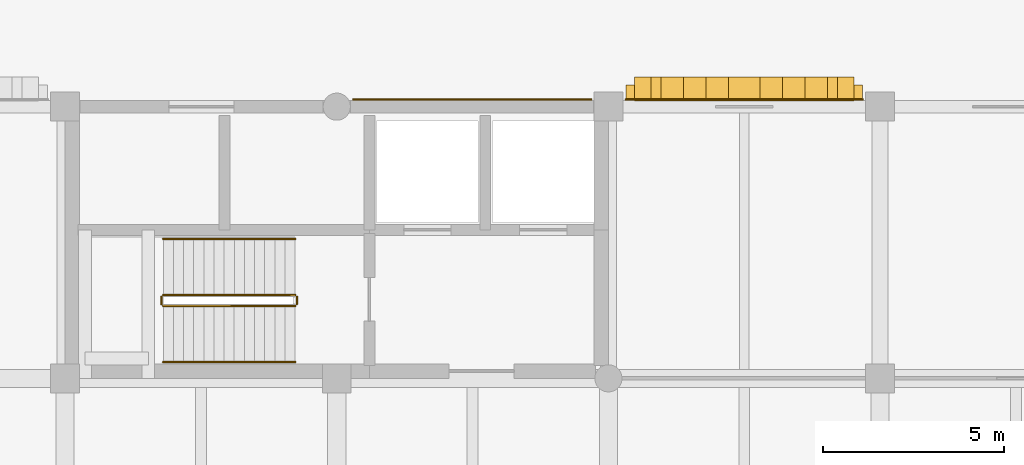
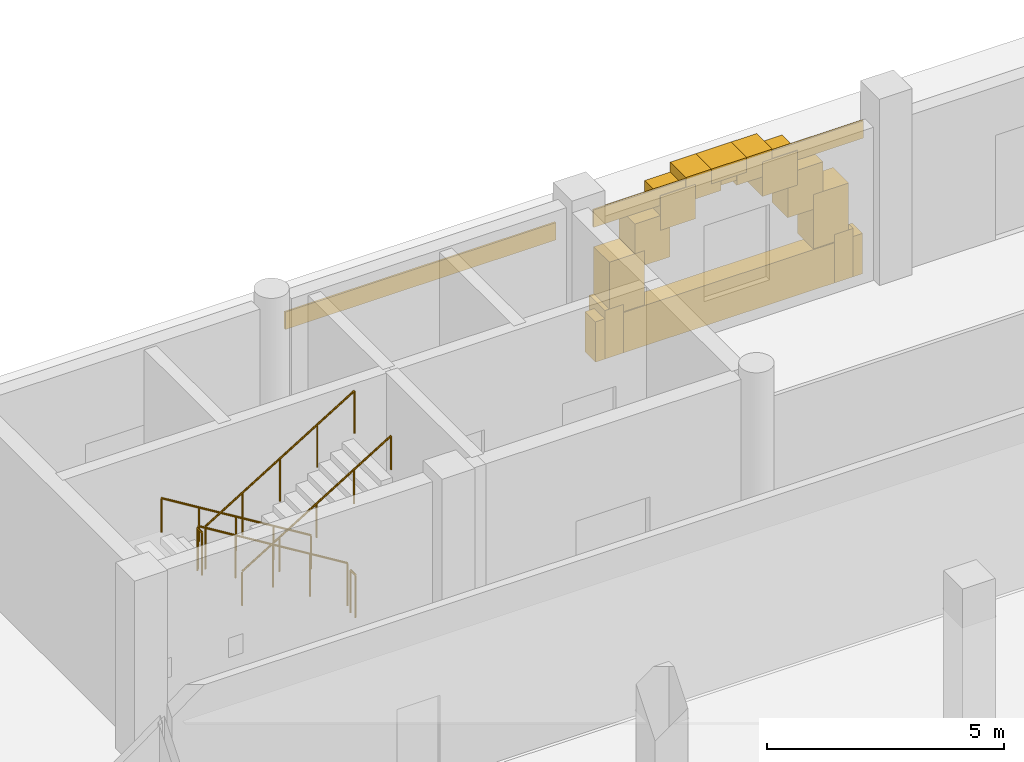
# One storey, part 115 of 125: 14 coverings, 6 railings.
"""IFC4 building model written with IfcOpenShell, lengths in metres."""

from ifc_helpers import new_model, si_unit, direction, frame, origin, origin_2d, place, context, subcontext, project, spatial, rectangle, circle, extrude, material, layer, layer_set, type_object, element, save


model = new_model("IFC4")

# Units and contexts
model_context = context("Model", 3, precision=1e-05, world=origin(), true_north=direction((0.0, 1.0)))
body_context = subcontext(model_context, "Body", "Model", "MODEL_VIEW")
ifc_project = project(units=[si_unit("LENGTHUNIT", "METRE"), si_unit("AREAUNIT", "SQUARE_METRE"), si_unit("VOLUMEUNIT", "CUBIC_METRE"), si_unit("PLANEANGLEUNIT", "RADIAN"), si_unit("MASSUNIT", "GRAM", prefix="KILO")], contexts=[model_context])

# Site, building, storey
site_placement = place(None, origin())
site = spatial("IfcSite", under=ifc_project, at=site_placement, CompositionType="ELEMENT")
building_placement = place(site_placement, origin())
building = spatial("IfcBuilding", under=site, at=building_placement, Name="Dalvernix Boulevard General Hospital", CompositionType="ELEMENT")
storey_placement = place(building_placement, origin())
storey = spatial("IfcBuildingStorey", under=building, at=storey_placement, Name="L00", CompositionType="ELEMENT", Elevation=0.0)

# Coverings
ifc_material_1 = material(Name="Pressed Catalan clay brick and dressed limestone parabolic archivolt", Category="masonry")
ifc_layer_1 = layer(ifc_material_1, 0.419921875)
ifc_layer_set_1 = layer_set([ifc_layer_1], Name="Pressed Catalan clay brick and dressed limestone parabolic archivolt (COV-ARC-01)")
covering_type_1 = type_object("IfcCoveringType", Name="COV-ARC-01", PredefinedType="CLADDING", material=ifc_layer_set_1)
for number, where, z_axis, x_axis, name in (
    (1, (75.949951171875, 117.485107421875, 0.0), (0.0, 0.0, 1.0), (1.0, 0.0, 0.0), "L00 Catalan parabolic arch impost pier N 10-15-L"),
    (2, (81.550048828125, 117.485107421875, 0.0), (0.0, 0.0, 1.0), (1.0, 0.0, 0.0), "L00 Catalan parabolic arch impost pier N 10-15-R"),
):
    element("IfcCovering", number, at=place(storey_placement, frame(where, z_axis=z_axis, x_axis=x_axis)), inside=storey, type_object=covering_type_1, Name=name, PredefinedType="CLADDING", context=body_context, shape_type="SweptSolid", body=[
        extrude(rectangle(XDim=0.4599609375, YDim=0.659912109375, at=origin_2d()), origin(), (0.0, 0.0, 1.0), 1.25),
    ])
covering_1_placement = place(storey_placement, frame((76.260986328125, 117.485107421875, 1.059814453125), z_axis=(0.0, 0.0, 1.0), x_axis=(1.0, 0.0, 0.0)))
element("IfcCovering", 3, at=covering_1_placement, inside=storey, type_object=covering_type_1, Name="L00 Catalan parabolic archivolt voussoir N 10-15-1", PredefinedType="CLADDING", context=body_context, shape_type="SweptSolid", body=[
    extrude(rectangle(XDim=0.8623046875, YDim=0.659912109375, at=origin_2d()), origin(), (0.0, 0.0, 1.0), 1.3994140625),
])
covering_2_placement = place(storey_placement, frame((76.88330078125, 117.485107421875, 2.07958984375), z_axis=(0.0, 0.0, 1.0), x_axis=(1.0, 0.0, 0.0)))
element("IfcCovering", 4, at=covering_2_placement, inside=storey, type_object=covering_type_1, Name="L00 Catalan parabolic archivolt voussoir N 10-15-2", PredefinedType="CLADDING", context=body_context, shape_type="SweptSolid", body=[
    extrude(rectangle(XDim=0.8623046875, YDim=0.659912109375, at=origin_2d()), origin(), (0.0, 0.0, 1.0), 1.144287109375),
])
covering_3_placement = place(storey_placement, frame((77.505615234375, 117.485107421875, 2.84375), z_axis=(0.0, 0.0, 1.0), x_axis=(1.0, 0.0, 0.0)))
element("IfcCovering", 5, at=covering_3_placement, inside=storey, type_object=covering_type_1, Name="L00 Catalan parabolic archivolt voussoir N 10-15-3", PredefinedType="CLADDING", context=body_context, shape_type="SweptSolid", body=[
    extrude(rectangle(XDim=0.8623046875, YDim=0.659912109375, at=origin_2d()), origin(), (0.0, 0.0, 1.0), 0.8896484375),
])
covering_4_placement = place(storey_placement, frame((78.127685546875, 117.485107421875, 3.353271484375), z_axis=(0.0, 0.0, 1.0), x_axis=(1.0, 0.0, 0.0)))
element("IfcCovering", 6, at=covering_4_placement, inside=storey, type_object=covering_type_1, Name="L00 Catalan parabolic archivolt voussoir N 10-15-4", PredefinedType="CLADDING", context=body_context, shape_type="SweptSolid", body=[
    extrude(rectangle(XDim=0.8623046875, YDim=0.659912109375, at=origin_2d()), origin(), (0.0, 0.0, 1.0), 0.634765625),
])
covering_5_placement = place(storey_placement, frame((78.75, 117.485107421875, 3.608154296875), z_axis=(0.0, 0.0, 1.0), x_axis=(1.0, 0.0, 0.0)))
element("IfcCovering", 7, at=covering_5_placement, inside=storey, type_object=covering_type_1, Name="L00 Catalan parabolic archivolt voussoir N 10-15-5", PredefinedType="CLADDING", context=body_context, shape_type="SweptSolid", body=[
    extrude(rectangle(XDim=0.8623046875, YDim=0.659912109375, at=origin_2d()), origin(), (0.0, 0.0, 1.0), 0.3798828125),
])
covering_6_placement = place(storey_placement, frame((79.372314453125, 117.485107421875, 3.353271484375), z_axis=(0.0, 0.0, 1.0), x_axis=(1.0, 0.0, 0.0)))
element("IfcCovering", 8, at=covering_6_placement, inside=storey, type_object=covering_type_1, Name="L00 Catalan parabolic archivolt voussoir N 10-15-6", PredefinedType="CLADDING", context=body_context, shape_type="SweptSolid", body=[
    extrude(rectangle(XDim=0.8623046875, YDim=0.659912109375, at=origin_2d()), origin(), (0.0, 0.0, 1.0), 0.634765625),
])
covering_7_placement = place(storey_placement, frame((79.994384765625, 117.485107421875, 2.84375), z_axis=(0.0, 0.0, 1.0), x_axis=(1.0, 0.0, 0.0)))
element("IfcCovering", 9, at=covering_7_placement, inside=storey, type_object=covering_type_1, Name="L00 Catalan parabolic archivolt voussoir N 10-15-7", PredefinedType="CLADDING", context=body_context, shape_type="SweptSolid", body=[
    extrude(rectangle(XDim=0.8623046875, YDim=0.659912109375, at=origin_2d()), origin(), (0.0, 0.0, 1.0), 0.8896484375),
])
covering_8_placement = place(storey_placement, frame((80.61669921875, 117.485107421875, 2.07958984375), z_axis=(0.0, 0.0, 1.0), x_axis=(1.0, 0.0, 0.0)))
element("IfcCovering", 10, at=covering_8_placement, inside=storey, type_object=covering_type_1, Name="L00 Catalan parabolic archivolt voussoir N 10-15-8", PredefinedType="CLADDING", context=body_context, shape_type="SweptSolid", body=[
    extrude(rectangle(XDim=0.8623046875, YDim=0.659912109375, at=origin_2d()), origin(), (0.0, 0.0, 1.0), 1.144287109375),
])
covering_9_placement = place(storey_placement, frame((81.239013671875, 117.485107421875, 1.059814453125), z_axis=(0.0, 0.0, 1.0), x_axis=(1.0, 0.0, 0.0)))
element("IfcCovering", 11, at=covering_9_placement, inside=storey, type_object=covering_type_1, Name="L00 Catalan parabolic archivolt voussoir N 10-15-9", PredefinedType="CLADDING", context=body_context, shape_type="SweptSolid", body=[
    extrude(rectangle(XDim=0.8623046875, YDim=0.659912109375, at=origin_2d()), origin(), (0.0, 0.0, 1.0), 1.3994140625),
])
ifc_material_2 = material(Name="Polychrome Catalan glazed ceramic spandrel tile panel")
ifc_layer_2 = layer(ifc_material_2, 0.044921875)
ifc_layer_set_2 = layer_set([ifc_layer_2], Name="Polychrome Catalan glazed ceramic spandrel tile panel (COV-CLD-01)")
covering_type_2 = type_object("IfcCoveringType", Name="COV-CLD-01", PredefinedType="CLADDING", material=ifc_layer_set_2)
covering_10_placement = place(storey_placement, frame((71.237548828125, 117.195068359375, 3.47509765625), z_axis=(0.0, 0.0, 1.0), x_axis=(1.0, 0.0, 0.0)))
element("IfcCovering", 12, at=covering_10_placement, inside=storey, type_object=covering_type_2, Name="L00 polychrome ceramic spandrel N 9-15", PredefinedType="CLADDING", context=body_context, shape_type="SweptSolid", body=[
    extrude(rectangle(XDim=6.60498046875, YDim=0.044921875, at=origin_2d()), origin(), (0.0, 0.0, 1.0), 0.449951171875),
])
covering_11_placement = place(storey_placement, frame((78.75, 117.195068359375, 3.47509765625), z_axis=(0.0, 0.0, 1.0), x_axis=(1.0, 0.0, 0.0)))
element("IfcCovering", 13, at=covering_11_placement, inside=storey, type_object=covering_type_2, Name="L00 polychrome ceramic spandrel N 10-15", PredefinedType="CLADDING", context=body_context, shape_type="SweptSolid", body=[
    extrude(rectangle(XDim=6.580078125, YDim=0.044921875, at=origin_2d()), origin(), (0.0, 0.0, 1.0), 0.449951171875),
])
ifc_material_3 = material(Name="Dressed ochre limestone classical plinth, stringcourse and corbelled cornice", Category="masonry")
ifc_layer_3 = layer(ifc_material_3, 0.449951171875)
ifc_layer_set_3 = layer_set([ifc_layer_3], Name="Dressed ochre limestone classical plinth, stringcourse and corbelled cornice (COV-CRN-01)")
covering_type_3 = type_object("IfcCoveringType", Name="COV-CRN-01", PredefinedType="CLADDING", material=ifc_layer_set_3)
covering_12_placement = place(storey_placement, frame((78.75, 117.375, 0.0), z_axis=(0.0, 0.0, 1.0), x_axis=(1.0, 0.0, 0.0)))
element("IfcCovering", 14, at=covering_12_placement, inside=storey, type_object=covering_type_3, Name="L00 rusticated limestone classical plinth N 10-15", PredefinedType="CLADDING", context=body_context, shape_type="SweptSolid", body=[
    extrude(rectangle(XDim=6.52001953125, YDim=0.43994140625, at=origin_2d()), origin(), (0.0, 0.0, 1.0), 1.0400390625),
])

# Railings
ifc_material_4 = material(Name="Brushed stainless steel balustrade", Category="steel")
railing_type_1 = type_object("IfcRailingType", Name="RL-GR-INT1", PredefinedType="BALUSTRADE", material=ifc_material_4)
railing_1_placement = place(storey_placement, frame((66.35009765625, 111.800048828125, 0.17138671875)))
element("IfcRailing", 15, at=railing_1_placement, inside=storey, type_object=railing_type_1, Name="L00 ST-03 stair guard 1", PredefinedType="BALUSTRADE", context=body_context, shape_type="SweptSolid", body=[
    extrude(circle(Radius=0.02392578125, at=origin_2d()), frame((0.0, 0.0, 1.09619140625), z_axis=(-0.852865859571, 0.0, 0.52213008492), x_axis=(0.0, -1.0, 0.0)), (0.0, 0.0, 1.0), 4.26806640625),
    extrude(circle(Radius=0.02099609375, at=origin_2d()), origin(), (0.0, 0.0, 1.0), 1.072021484375),
    extrude(circle(Radius=0.02099609375, at=origin_2d()), frame((-0.91015625, 0.0, 0.55712890625)), (0.0, 0.0, 1.0), 1.072021484375),
    extrude(circle(Radius=0.02099609375, at=origin_2d()), frame((-1.820068359375, 0.0, 1.1142578125)), (0.0, 0.0, 1.0), 1.072021484375),
    extrude(circle(Radius=0.02099609375, at=origin_2d()), frame((-2.72998046875, 0.0, 1.67138671875)), (0.0, 0.0, 1.0), 1.072021484375),
    extrude(circle(Radius=0.02099609375, at=origin_2d()), frame((-3.64013671875, 0.0, 2.228515625)), (0.0, 0.0, 1.0), 1.072021484375),
])
railing_2_placement = place(storey_placement, frame((62.659912109375, 111.75, 2.39990234375)))
element("IfcRailing", 16, at=railing_2_placement, inside=storey, type_object=railing_type_1, Name="L00 ST-03 stair guard 2", PredefinedType="BALUSTRADE", context=body_context, shape_type="SweptSolid", body=[
    extrude(circle(Radius=0.02392578125, at=origin_2d()), frame((0.0, 0.0, 1.09619140625), z_axis=(0.0, -1.0, 0.0), x_axis=(1.0, 0.0, 0.0)), (0.0, 0.0, 1.0), 0.199951171875),
    extrude(circle(Radius=0.02099609375, at=origin_2d()), origin(), (0.0, 0.0, 1.0), 1.072021484375),
    extrude(circle(Radius=0.02099609375, at=origin_2d()), frame((0.0, -0.199951171875, 0.0)), (0.0, 0.0, 1.0), 1.072021484375),
])
railing_3_placement = place(storey_placement, frame((62.7099609375, 111.5, 2.571533203125)))
element("IfcRailing", 17, at=railing_3_placement, inside=storey, type_object=railing_type_1, Name="L00 ST-03 stair guard 3", PredefinedType="BALUSTRADE", context=body_context, shape_type="SweptSolid", body=[
    extrude(circle(Radius=0.02392578125, at=origin_2d()), frame((0.0, 0.0, 1.09619140625), z_axis=(0.852865859571, 0.0, 0.52213008492), x_axis=(0.0, 1.0, 0.0)), (0.0, 0.0, 1.0), 4.26806640625),
    extrude(circle(Radius=0.02099609375, at=origin_2d()), origin(), (0.0, 0.0, 1.0), 1.072021484375),
    extrude(circle(Radius=0.02099609375, at=origin_2d()), frame((0.91015625, 0.0, 0.55712890625)), (0.0, 0.0, 1.0), 1.072021484375),
    extrude(circle(Radius=0.02099609375, at=origin_2d()), frame((1.820068359375, 0.0, 1.1142578125)), (0.0, 0.0, 1.0), 1.072021484375),
    extrude(circle(Radius=0.02099609375, at=origin_2d()), frame((2.72998046875, 0.0, 1.67138671875)), (0.0, 0.0, 1.0), 1.072021484375),
    extrude(circle(Radius=0.02099609375, at=origin_2d()), frame((3.64013671875, 0.0, 2.228515625)), (0.0, 0.0, 1.0), 1.072021484375),
])
railing_4_placement = place(storey_placement, frame((66.39990234375, 111.75, 0.0)))
element("IfcRailing", 18, at=railing_4_placement, inside=storey, type_object=railing_type_1, Name="L00 ST-03 stair guard 4", PredefinedType="BALUSTRADE", context=body_context, shape_type="SweptSolid", body=[
    extrude(circle(Radius=0.02392578125, at=origin_2d()), frame((0.0, 0.0, 1.09619140625), z_axis=(0.0, -1.0, 0.0), x_axis=(1.0, 0.0, 0.0)), (0.0, 0.0, 1.0), 0.199951171875),
    extrude(circle(Radius=0.02099609375, at=origin_2d()), origin(), (0.0, 0.0, 1.0), 1.072021484375),
    extrude(circle(Radius=0.02099609375, at=origin_2d()), frame((0.0, -0.199951171875, 0.0)), (0.0, 0.0, 1.0), 1.072021484375),
])
ifc_material_5 = material(Name="Brushed stainless steel wall handrail", Category="steel")
railing_type_2 = type_object("IfcRailingType", Name="RL-HR-INT1", PredefinedType="HANDRAIL", material=ifc_material_5)
railing_5_placement = place(storey_placement, frame((66.35009765625, 113.35009765625, 0.17138671875)))
element("IfcRailing", 19, at=railing_5_placement, inside=storey, type_object=railing_type_2, Name="L00 ST-03 stair handrail 1", PredefinedType="HANDRAIL", context=body_context, shape_type="SweptSolid", body=[
    extrude(circle(Radius=0.02392578125, at=origin_2d()), frame((0.0, 0.0, 0.8759765625), z_axis=(-0.852865859571, 0.0, 0.52213008492), x_axis=(0.0, -1.0, 0.0)), (0.0, 0.0, 1.0), 4.26806640625),
    extrude(circle(Radius=0.02099609375, at=origin_2d()), origin(), (0.0, 0.0, 1.0), 0.851806640625),
    extrude(circle(Radius=0.02099609375, at=origin_2d()), frame((-0.91015625, 0.0, 0.55712890625)), (0.0, 0.0, 1.0), 0.851806640625),
    extrude(circle(Radius=0.02099609375, at=origin_2d()), frame((-1.820068359375, 0.0, 1.1142578125)), (0.0, 0.0, 1.0), 0.851806640625),
    extrude(circle(Radius=0.02099609375, at=origin_2d()), frame((-2.72998046875, 0.0, 1.67138671875)), (0.0, 0.0, 1.0), 0.851806640625),
    extrude(circle(Radius=0.02099609375, at=origin_2d()), frame((-3.64013671875, 0.0, 2.228515625)), (0.0, 0.0, 1.0), 0.851806640625),
])
railing_6_placement = place(storey_placement, frame((62.7099609375, 109.949951171875, 2.571533203125)))
element("IfcRailing", 20, at=railing_6_placement, inside=storey, type_object=railing_type_2, Name="L00 ST-03 stair handrail 2", PredefinedType="HANDRAIL", context=body_context, shape_type="SweptSolid", body=[
    extrude(circle(Radius=0.02392578125, at=origin_2d()), frame((0.0, 0.0, 0.8759765625), z_axis=(0.852865859571, 0.0, 0.52213008492), x_axis=(0.0, 1.0, 0.0)), (0.0, 0.0, 1.0), 4.26806640625),
    extrude(circle(Radius=0.02099609375, at=origin_2d()), origin(), (0.0, 0.0, 1.0), 0.851806640625),
    extrude(circle(Radius=0.02099609375, at=origin_2d()), frame((0.91015625, 0.0, 0.55712890625)), (0.0, 0.0, 1.0), 0.851806640625),
    extrude(circle(Radius=0.02099609375, at=origin_2d()), frame((1.820068359375, 0.0, 1.1142578125)), (0.0, 0.0, 1.0), 0.851806640625),
    extrude(circle(Radius=0.02099609375, at=origin_2d()), frame((2.72998046875, 0.0, 1.67138671875)), (0.0, 0.0, 1.0), 0.851806640625),
    extrude(circle(Radius=0.02099609375, at=origin_2d()), frame((3.64013671875, 0.0, 2.228515625)), (0.0, 0.0, 1.0), 0.851806640625),
])

save(model, "model.ifc")
